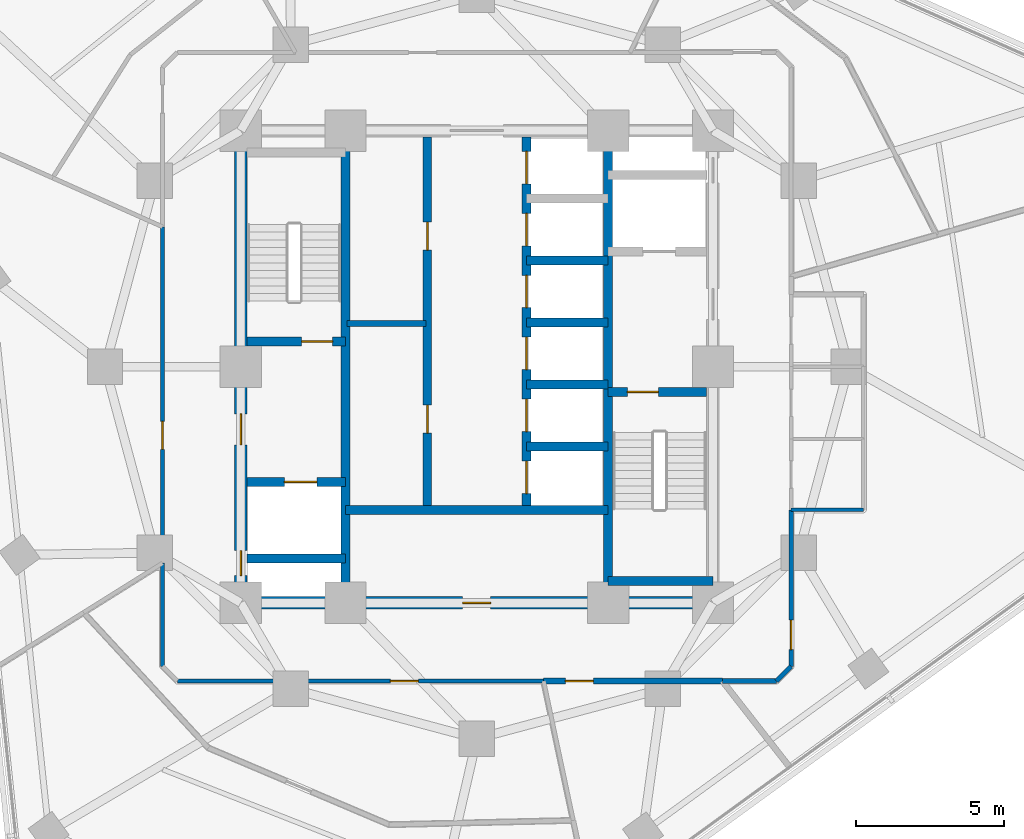
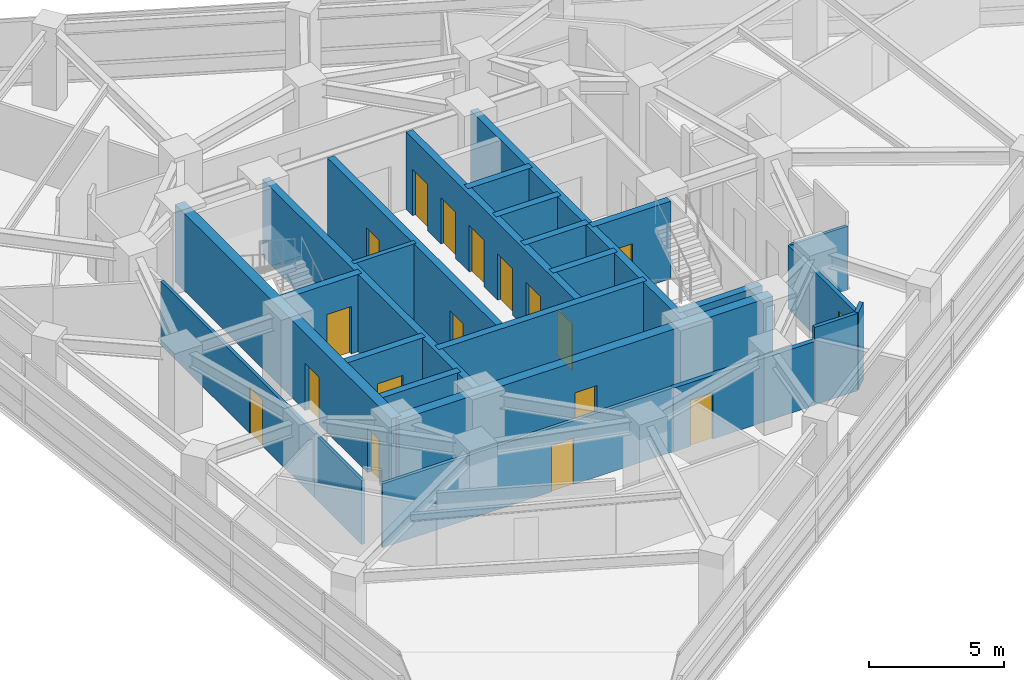
# One storey, part 8 of 14: 25 walls, 18 doors, 18 openings.
"""IFC4 building model written with IfcOpenShell, lengths in metres."""

from ifc_helpers import new_model, si_unit, direction, frame, frame_2d, origin, place, context, subcontext, project, spatial, rectangle, extrude, material, layer, layer_set, type_object, element, fill, save


model = new_model("IFC4")

# Units and contexts
model_context = context("Model", 3, precision=1e-05, world=origin(), true_north=direction((0.0, 1.0)))
body_context = subcontext(model_context, "Body", "Model", "MODEL_VIEW")
ifc_project = project(units=[si_unit("LENGTHUNIT", "METRE"), si_unit("AREAUNIT", "SQUARE_METRE"), si_unit("VOLUMEUNIT", "CUBIC_METRE"), si_unit("PLANEANGLEUNIT", "RADIAN"), si_unit("MASSUNIT", "GRAM", prefix="KILO")], contexts=[model_context])

# Site, building, storey
site_placement = place(None, origin())
site = spatial("IfcSite", under=ifc_project, at=site_placement, CompositionType="ELEMENT")
building_placement = place(site_placement, origin())
building = spatial("IfcBuilding", under=site, at=building_placement, Name="Terralouvre Media Tower", CompositionType="ELEMENT")
storey_placement = place(building_placement, frame((0.0, 0.0, 154.60009765625)))
storey = spatial("IfcBuildingStorey", under=building, at=storey_placement, Name="L39", CompositionType="ELEMENT", Elevation=154.60009765625)

# Walls
ifc_material_1 = material(Name="Concrete C50/60", Category="concrete")
ifc_layer_1 = layer(ifc_material_1, 0.300048828125, Name="Core Internal Shaft Wall CW-300")
ifc_layer_set_1 = layer_set([ifc_layer_1], Name="Concrete C50/60")
wall_type_1 = type_object("IfcWallType", Name="Core Internal Shaft Wall CW-300", PredefinedType="SHEAR", material=ifc_layer_set_1)
for number, where, z_axis, x_axis, name in (
    (1, (-4.449951171875, -7.7900390625, 0.0), (0.0, 0.0, 1.0), (0.0, 1.0, 0.0), "L39 Core Shaft Wall SPW"),
    (2, (4.449951171875, -7.7900390625, 0.0), (0.0, 0.0, 1.0), (0.0, 1.0, 0.0), "L39 Core Shaft Wall SPE"),
):
    element("IfcWall", number, at=place(storey_placement, frame(where, z_axis=z_axis, x_axis=x_axis)), inside=storey, type_object=wall_type_1, Name=name, PredefinedType="SHEAR", context=body_context, shape_type="SweptSolid", body=[
        extrude(rectangle(XDim=15.580078125, YDim=0.300048828125, at=frame_2d((7.7900390625, 0.0))), origin(), (0.0, 0.0, 1.0), 3.5),
    ])

# Wall, opening, door
wall_1_placement = place(storey_placement, frame((-7.7900390625, 0.85009765625, 0.0), z_axis=(0.0, 0.0, 1.0), x_axis=(1.0, 0.0, 0.0)))
wall_1 = element("IfcWall", 3, at=wall_1_placement, inside=storey, type_object=wall_type_1, Name="L39 Core Shaft Wall ST1D", PredefinedType="SHEAR", context=body_context, shape_type="SweptSolid", body=[
    extrude(rectangle(XDim=3.340087890625, YDim=0.300048828125, at=frame_2d((1.669921875, 0.0))), origin(), (0.0, 0.0, 1.0), 3.5),
])
opening_1_placement = place(wall_1_placement, frame((1.85009765625, 0.0, 0.0)))
opening_1 = element("IfcOpeningElement", 4, at=opening_1_placement, cuts=wall_1, Name="Opening FD-01-105X215", PredefinedType="OPENING", context=body_context, shape_type="SweptSolid", body=[
    extrude(rectangle(XDim=1.050048828125, YDim=2.14990234375, at=frame_2d((0.52490234375, 1.074951171875))), frame((0.0, 0.159912109375, 0.0), z_axis=(0.0, -1.0, 0.0), x_axis=(1.0, 0.0, 0.0)), (0.0, 0.0, 1.0), 0.320068359375),
])
ifc_material_2 = material(Name="Galvanised steel fire-resisting leaf", Category="steel")
door_type_1 = type_object("IfcDoorType", Name="Stair and Firefighting Lobby Fire Door FD-01 (1050x2150)", OperationType="NOTDEFINED", PredefinedType="DOOR", material=ifc_material_2)
door_1_placement = place(opening_1_placement, origin())
door_1 = element("IfcDoor", 5, at=door_1_placement, inside=storey, type_object=door_type_1, Name="L39 ST-01 Exit Stair Door", OperationType="SINGLE_SWING_LEFT", OverallHeight=2.14990234375, OverallWidth=1.050048828125, PredefinedType="DOOR", context=body_context, shape_type="SweptSolid", body=[
    extrude(rectangle(XDim=1.050048828125, YDim=2.14990234375, at=frame_2d((0.52490234375, 1.074951171875))), frame((0.0, 0.02490234375, 0.0), z_axis=(0.0, -1.0, 0.0), x_axis=(1.0, 0.0, 0.0)), (0.0, 0.0, 1.0), 0.050048828125),
])
fill(opening_1, door_1)

wall_2_placement = place(storey_placement, frame((4.449951171875, -0.85009765625, 0.0), z_axis=(0.0, 0.0, 1.0), x_axis=(1.0, 0.0, 0.0)))
wall_2 = element("IfcWall", 6, at=wall_2_placement, inside=storey, type_object=wall_type_1, Name="L39 Core Shaft Wall ST2D", PredefinedType="SHEAR", context=body_context, shape_type="SweptSolid", body=[
    extrude(rectangle(XDim=3.340087890625, YDim=0.300048828125, at=frame_2d((1.669921875, 0.0))), origin(), (0.0, 0.0, 1.0), 3.5),
])
opening_2_placement = place(wall_2_placement, frame((0.64990234375, 0.0, 0.0)))
opening_2 = element("IfcOpeningElement", 7, at=opening_2_placement, cuts=wall_2, Name="Opening FD-01-105X215", PredefinedType="OPENING", context=body_context, shape_type="SweptSolid", body=[
    extrude(rectangle(XDim=1.050048828125, YDim=2.14990234375, at=frame_2d((0.52490234375, 1.074951171875))), frame((0.0, 0.159912109375, 0.0), z_axis=(0.0, -1.0, 0.0), x_axis=(1.0, 0.0, 0.0)), (0.0, 0.0, 1.0), 0.320068359375),
])
door_2_placement = place(opening_2_placement, origin())
door_2 = element("IfcDoor", 8, at=door_2_placement, inside=storey, type_object=door_type_1, Name="L39 ST-02 Exit Stair Door", OperationType="SINGLE_SWING_RIGHT", OverallHeight=2.14990234375, OverallWidth=1.050048828125, PredefinedType="DOOR", context=body_context, shape_type="SweptSolid", body=[
    extrude(rectangle(XDim=1.050048828125, YDim=2.14990234375, at=frame_2d((0.52490234375, 1.074951171875))), frame((0.0, 0.02490234375, 0.0), z_axis=(0.0, -1.0, 0.0), x_axis=(1.0, 0.0, 0.0)), (0.0, 0.0, 1.0), 0.050048828125),
])
fill(opening_2, door_2)

# Wall
wall_3_placement = place(storey_placement, frame((4.449951171875, -7.260009765625, 0.0), z_axis=(0.0, 0.0, 1.0), x_axis=(1.0, 0.0, 0.0)))
element("IfcWall", 9, at=wall_3_placement, inside=storey, type_object=wall_type_1, Name="L39 Core Shaft Wall ST2F", PredefinedType="SHEAR", context=body_context, shape_type="SweptSolid", body=[
    extrude(rectangle(XDim=3.550048828125, YDim=0.300048828125, at=frame_2d((1.77490234375, 0.0))), origin(), (0.0, 0.0, 1.0), 3.5),
])

# Wall, opening, door
wall_4_placement = place(storey_placement, frame((-7.7900390625, -3.89990234375, 0.0), z_axis=(0.0, 0.0, 1.0), x_axis=(1.0, 0.0, 0.0)))
wall_4 = element("IfcWall", 10, at=wall_4_placement, inside=storey, type_object=wall_type_1, Name="L39 Core Shaft Wall FF1N", PredefinedType="SHEAR", context=body_context, shape_type="SweptSolid", body=[
    extrude(rectangle(XDim=3.340087890625, YDim=0.300048828125, at=frame_2d((1.669921875, 0.0))), origin(), (0.0, 0.0, 1.0), 3.5),
])
opening_3_placement = place(wall_4_placement, frame((1.27001953125, 0.0, 0.0)))
opening_3 = element("IfcOpeningElement", 11, at=opening_3_placement, cuts=wall_4, Name="Opening LD-FF", PredefinedType="OPENING", context=body_context, shape_type="SweptSolid", body=[
    extrude(rectangle(XDim=1.10009765625, YDim=2.10009765625, at=frame_2d((0.550048828125, 1.050048828125))), frame((0.0, 0.159912109375, 0.0), z_axis=(0.0, -1.0, 0.0), x_axis=(1.0, 0.0, 0.0)), (0.0, 0.0, 1.0), 0.320068359375),
])
ifc_material_3 = material(Name="Stainless steel 316 handrail and balustrade", Category="steel")
door_type_2 = type_object("IfcDoorType", Name="Firefighting Lift Sliding Landing Door LD-FF", OperationType="SLIDING_TO_LEFT", PredefinedType="DOOR", material=ifc_material_3)
door_3_placement = place(opening_3_placement, origin())
door_3 = element("IfcDoor", 12, at=door_3_placement, inside=storey, type_object=door_type_2, Name="L39 Firefighting Lift FFL-01 Landing Door", OperationType="SLIDING_TO_LEFT", OverallHeight=2.10009765625, OverallWidth=1.10009765625, PredefinedType="DOOR", context=body_context, shape_type="SweptSolid", body=[
    extrude(rectangle(XDim=1.10009765625, YDim=2.10009765625, at=frame_2d((0.550048828125, 1.050048828125))), frame((0.0, 0.02490234375, 0.0), z_axis=(0.0, -1.0, 0.0), x_axis=(1.0, 0.0, 0.0)), (0.0, 0.0, 1.0), 0.050048828125),
])
fill(opening_3, door_3)

# Walls
wall_5_placement = place(storey_placement, frame((-7.7900390625, -6.5, 0.0), z_axis=(0.0, 0.0, 1.0), x_axis=(1.0, 0.0, 0.0)))
element("IfcWall", 13, at=wall_5_placement, inside=storey, type_object=wall_type_1, Name="L39 Core Shaft Wall FF1S", PredefinedType="SHEAR", context=body_context, shape_type="SweptSolid", body=[
    extrude(rectangle(XDim=3.340087890625, YDim=0.300048828125, at=frame_2d((1.669921875, 0.0))), origin(), (0.0, 0.0, 1.0), 3.5),
])
wall_6_placement = place(storey_placement, frame((-4.449951171875, -4.85009765625, 0.0), z_axis=(0.0, 0.0, 1.0), x_axis=(1.0, 0.0, 0.0)))
element("IfcWall", 14, at=wall_6_placement, inside=storey, type_object=wall_type_1, Name="L39 Core Shaft Wall CSBN", PredefinedType="SHEAR", context=body_context, shape_type="SweptSolid", body=[
    extrude(rectangle(XDim=8.89990234375, YDim=0.300048828125, at=frame_2d((4.449951171875, 0.0))), origin(), (0.0, 0.0, 1.0), 3.5),
])

# Wall, openings, doors
wall_7_placement = place(storey_placement, frame((-1.679931640625, -4.85009765625, 0.0), z_axis=(0.0, 0.0, 1.0), x_axis=(0.0, 1.0, 0.0)))
wall_7 = element("IfcWall", 15, at=wall_7_placement, inside=storey, type_object=wall_type_1, Name="L39 Core Shaft Wall LBW", PredefinedType="SHEAR", context=body_context, shape_type="SweptSolid", body=[
    extrude(rectangle(XDim=12.64013671875, YDim=0.300048828125, at=frame_2d((6.320068359375, 0.0))), origin(), (0.0, 0.0, 1.0), 3.5),
])
opening_4_placement = place(wall_7_placement, frame((2.60009765625, 0.0, 0.0)))
opening_4 = element("IfcOpeningElement", 16, at=opening_4_placement, cuts=wall_7, Name="Opening FD-02-95X210", PredefinedType="OPENING", context=body_context, shape_type="SweptSolid", body=[
    extrude(rectangle(XDim=0.949951171875, YDim=2.10009765625, at=frame_2d((0.47509765625, 1.050048828125))), frame((0.0, 0.159912109375, 0.0), z_axis=(0.0, -1.0, 0.0), x_axis=(1.0, 0.0, 0.0)), (0.0, 0.0, 1.0), 0.320068359375),
])
opening_5_placement = place(wall_7_placement, frame((8.800048828125, 0.0, 0.0)))
opening_5 = element("IfcOpeningElement", 17, at=opening_5_placement, cuts=wall_7, Name="Opening FD-04-95X210", PredefinedType="OPENING", context=body_context, shape_type="SweptSolid", body=[
    extrude(rectangle(XDim=0.949951171875, YDim=2.10009765625, at=frame_2d((0.47509765625, 1.050048828125))), frame((0.0, 0.159912109375, 0.0), z_axis=(0.0, -1.0, 0.0), x_axis=(1.0, 0.0, 0.0)), (0.0, 0.0, 1.0), 0.320068359375),
])
ifc_material_4 = material(Name="Galvanised steel fire-resisting leaf", Category="steel")
door_type_3 = type_object("IfcDoorType", Name="Core Store and Service Fire Door FD-04 (950x2100)", OperationType="NOTDEFINED", PredefinedType="DOOR", material=ifc_material_4)
door_4_placement = place(opening_5_placement, origin())
door_4 = element("IfcDoor", 18, at=door_4_placement, inside=storey, type_object=door_type_3, Name="L39 Core Linen Store Door", OperationType="SINGLE_SWING_RIGHT", OverallHeight=2.10009765625, OverallWidth=0.949951171875, PredefinedType="DOOR", context=body_context, shape_type="SweptSolid", body=[
    extrude(rectangle(XDim=0.949951171875, YDim=2.10009765625, at=frame_2d((0.47509765625, 1.050048828125))), frame((0.0, 0.02490234375, 0.0), z_axis=(0.0, -1.0, 0.0), x_axis=(1.0, 0.0, 0.0)), (0.0, 0.0, 1.0), 0.050048828125),
])
fill(opening_5, door_4)
ifc_material_5 = material(Name="Galvanised steel fire-resisting leaf", Category="steel")
door_type_4 = type_object("IfcDoorType", Name="Plant and Riser Fire Door FD-02 (950x2100)", OperationType="NOTDEFINED", PredefinedType="DOOR", material=ifc_material_5)
door_5_placement = place(opening_4_placement, origin())
door_5 = element("IfcDoor", 19, at=door_5_placement, inside=storey, type_object=door_type_4, Name="L39 Core Fibre Patch Plant Door", OperationType="SINGLE_SWING_LEFT", OverallHeight=2.10009765625, OverallWidth=0.949951171875, PredefinedType="DOOR", context=body_context, shape_type="SweptSolid", body=[
    extrude(rectangle(XDim=0.949951171875, YDim=2.10009765625, at=frame_2d((0.47509765625, 1.050048828125))), frame((0.0, 0.02490234375, 0.0), z_axis=(0.0, -1.0, 0.0), x_axis=(1.0, 0.0, 0.0)), (0.0, 0.0, 1.0), 0.050048828125),
])
fill(opening_4, door_5)

wall_8_placement = place(storey_placement, frame((1.679931640625, -4.85009765625, 0.0), z_axis=(0.0, 0.0, 1.0), x_axis=(0.0, 1.0, 0.0)))
wall_8 = element("IfcWall", 20, at=wall_8_placement, inside=storey, type_object=wall_type_1, Name="L39 Core Shaft Wall LBE", PredefinedType="SHEAR", context=body_context, shape_type="SweptSolid", body=[
    extrude(rectangle(XDim=12.64013671875, YDim=0.300048828125, at=frame_2d((6.320068359375, 0.0))), origin(), (0.0, 0.0, 1.0), 3.5),
])
opening_6_placement = place(wall_8_placement, frame((0.550048828125, 0.0, 0.0)))
opening_6 = element("IfcOpeningElement", 21, at=opening_6_placement, cuts=wall_8, Name="Opening LD-PL", PredefinedType="OPENING", context=body_context, shape_type="SweptSolid", body=[
    extrude(rectangle(XDim=1.10009765625, YDim=2.10009765625, at=frame_2d((0.550048828125, 1.050048828125))), frame((0.0, 0.159912109375, 0.0), z_axis=(0.0, -1.0, 0.0), x_axis=(1.0, 0.0, 0.0)), (0.0, 0.0, 1.0), 0.320068359375),
])
opening_7_placement = place(wall_8_placement, frame((2.64990234375, 0.0, 0.0)))
opening_7 = element("IfcOpeningElement", 22, at=opening_7_placement, cuts=wall_8, Name="Opening LD-PL", PredefinedType="OPENING", context=body_context, shape_type="SweptSolid", body=[
    extrude(rectangle(XDim=1.10009765625, YDim=2.10009765625, at=frame_2d((0.550048828125, 1.050048828125))), frame((0.0, 0.159912109375, 0.0), z_axis=(0.0, -1.0, 0.0), x_axis=(1.0, 0.0, 0.0)), (0.0, 0.0, 1.0), 0.320068359375),
])
opening_8_placement = place(wall_8_placement, frame((4.75, 0.0, 0.0)))
opening_8 = element("IfcOpeningElement", 23, at=opening_8_placement, cuts=wall_8, Name="Opening LD-PL", PredefinedType="OPENING", context=body_context, shape_type="SweptSolid", body=[
    extrude(rectangle(XDim=1.10009765625, YDim=2.10009765625, at=frame_2d((0.550048828125, 1.050048828125))), frame((0.0, 0.159912109375, 0.0), z_axis=(0.0, -1.0, 0.0), x_axis=(1.0, 0.0, 0.0)), (0.0, 0.0, 1.0), 0.320068359375),
])
opening_9_placement = place(wall_8_placement, frame((6.85009765625, 0.0, 0.0)))
opening_9 = element("IfcOpeningElement", 24, at=opening_9_placement, cuts=wall_8, Name="Opening LD-PL", PredefinedType="OPENING", context=body_context, shape_type="SweptSolid", body=[
    extrude(rectangle(XDim=1.10009765625, YDim=2.10009765625, at=frame_2d((0.550048828125, 1.050048828125))), frame((0.0, 0.159912109375, 0.0), z_axis=(0.0, -1.0, 0.0), x_axis=(1.0, 0.0, 0.0)), (0.0, 0.0, 1.0), 0.320068359375),
])
opening_10_placement = place(wall_8_placement, frame((8.949951171875, 0.0, 0.0)))
opening_10 = element("IfcOpeningElement", 25, at=opening_10_placement, cuts=wall_8, Name="Opening LD-PL", PredefinedType="OPENING", context=body_context, shape_type="SweptSolid", body=[
    extrude(rectangle(XDim=1.10009765625, YDim=2.10009765625, at=frame_2d((0.550048828125, 1.050048828125))), frame((0.0, 0.159912109375, 0.0), z_axis=(0.0, -1.0, 0.0), x_axis=(1.0, 0.0, 0.0)), (0.0, 0.0, 1.0), 0.320068359375),
])
opening_11_placement = place(wall_8_placement, frame((11.050048828125, 0.0, 0.0)))
opening_11 = element("IfcOpeningElement", 26, at=opening_11_placement, cuts=wall_8, Name="Opening LD-PL", PredefinedType="OPENING", context=body_context, shape_type="SweptSolid", body=[
    extrude(rectangle(XDim=1.10009765625, YDim=2.10009765625, at=frame_2d((0.550048828125, 1.050048828125))), frame((0.0, 0.159912109375, 0.0), z_axis=(0.0, -1.0, 0.0), x_axis=(1.0, 0.0, 0.0)), (0.0, 0.0, 1.0), 0.320068359375),
])
ifc_material_6 = material(Name="Stainless steel 316 handrail and balustrade", Category="steel")
door_type_5 = type_object("IfcDoorType", Name="Passenger Lift Sliding Landing Door LD-PL", OperationType="SLIDING_TO_LEFT", PredefinedType="DOOR", material=ifc_material_6)
door_6_placement = place(opening_6_placement, origin())
door_6 = element("IfcDoor", 27, at=door_6_placement, inside=storey, type_object=door_type_5, Name="L39 High-Rise Lift PL-H1 Landing Door", OperationType="SLIDING_TO_LEFT", OverallHeight=2.10009765625, OverallWidth=1.10009765625, PredefinedType="DOOR", context=body_context, shape_type="SweptSolid", body=[
    extrude(rectangle(XDim=1.10009765625, YDim=2.10009765625, at=frame_2d((0.550048828125, 1.050048828125))), frame((0.0, 0.02490234375, 0.0), z_axis=(0.0, -1.0, 0.0), x_axis=(1.0, 0.0, 0.0)), (0.0, 0.0, 1.0), 0.050048828125),
])
fill(opening_6, door_6)
door_7_placement = place(opening_7_placement, origin())
door_7 = element("IfcDoor", 28, at=door_7_placement, inside=storey, type_object=door_type_5, Name="L39 High-Rise Lift PL-H2 Landing Door", OperationType="SLIDING_TO_LEFT", OverallHeight=2.10009765625, OverallWidth=1.10009765625, PredefinedType="DOOR", context=body_context, shape_type="SweptSolid", body=[
    extrude(rectangle(XDim=1.10009765625, YDim=2.10009765625, at=frame_2d((0.550048828125, 1.050048828125))), frame((0.0, 0.02490234375, 0.0), z_axis=(0.0, -1.0, 0.0), x_axis=(1.0, 0.0, 0.0)), (0.0, 0.0, 1.0), 0.050048828125),
])
fill(opening_7, door_7)
door_8_placement = place(opening_8_placement, origin())
door_8 = element("IfcDoor", 29, at=door_8_placement, inside=storey, type_object=door_type_5, Name="L39 High-Rise Lift PL-H3 Landing Door", OperationType="SLIDING_TO_LEFT", OverallHeight=2.10009765625, OverallWidth=1.10009765625, PredefinedType="DOOR", context=body_context, shape_type="SweptSolid", body=[
    extrude(rectangle(XDim=1.10009765625, YDim=2.10009765625, at=frame_2d((0.550048828125, 1.050048828125))), frame((0.0, 0.02490234375, 0.0), z_axis=(0.0, -1.0, 0.0), x_axis=(1.0, 0.0, 0.0)), (0.0, 0.0, 1.0), 0.050048828125),
])
fill(opening_8, door_8)
door_9_placement = place(opening_9_placement, origin())
door_9 = element("IfcDoor", 30, at=door_9_placement, inside=storey, type_object=door_type_5, Name="L39 Mid-Rise Lift PL-M1 Landing Door", OperationType="SLIDING_TO_LEFT", OverallHeight=2.10009765625, OverallWidth=1.10009765625, PredefinedType="DOOR", context=body_context, shape_type="SweptSolid", body=[
    extrude(rectangle(XDim=1.10009765625, YDim=2.10009765625, at=frame_2d((0.550048828125, 1.050048828125))), frame((0.0, 0.02490234375, 0.0), z_axis=(0.0, -1.0, 0.0), x_axis=(1.0, 0.0, 0.0)), (0.0, 0.0, 1.0), 0.050048828125),
])
fill(opening_9, door_9)
door_10_placement = place(opening_10_placement, origin())
door_10 = element("IfcDoor", 31, at=door_10_placement, inside=storey, type_object=door_type_5, Name="L39 Mid-Rise Lift PL-M2 Landing Door", OperationType="SLIDING_TO_LEFT", OverallHeight=2.10009765625, OverallWidth=1.10009765625, PredefinedType="DOOR", context=body_context, shape_type="SweptSolid", body=[
    extrude(rectangle(XDim=1.10009765625, YDim=2.10009765625, at=frame_2d((0.550048828125, 1.050048828125))), frame((0.0, 0.02490234375, 0.0), z_axis=(0.0, -1.0, 0.0), x_axis=(1.0, 0.0, 0.0)), (0.0, 0.0, 1.0), 0.050048828125),
])
fill(opening_10, door_10)
door_11_placement = place(opening_11_placement, origin())
door_11 = element("IfcDoor", 32, at=door_11_placement, inside=storey, type_object=door_type_5, Name="L39 Mid-Rise Lift PL-M3 Landing Door", OperationType="SLIDING_TO_LEFT", OverallHeight=2.10009765625, OverallWidth=1.10009765625, PredefinedType="DOOR", context=body_context, shape_type="SweptSolid", body=[
    extrude(rectangle(XDim=1.10009765625, YDim=2.10009765625, at=frame_2d((0.550048828125, 1.050048828125))), frame((0.0, 0.02490234375, 0.0), z_axis=(0.0, -1.0, 0.0), x_axis=(1.0, 0.0, 0.0)), (0.0, 0.0, 1.0), 0.050048828125),
])
fill(opening_11, door_11)

# Walls
for number, where, z_axis, x_axis, name in (
    (33, (1.679931640625, 1.5, 0.0), (0.0, 0.0, 1.0), (1.0, 0.0, 0.0), "L39 Core Shaft Wall PLMD0"),
    (34, (1.679931640625, 3.60009765625, 0.0), (0.0, 0.0, 1.0), (1.0, 0.0, 0.0), "L39 Core Shaft Wall PLMD1"),
    (35, (1.679931640625, -2.699951171875, 0.0), (0.0, 0.0, 1.0), (1.0, 0.0, 0.0), "L39 Core Shaft Wall PLHD1"),
    (36, (1.679931640625, -0.60009765625, 0.0), (0.0, 0.0, 1.0), (1.0, 0.0, 0.0), "L39 Core Shaft Wall PLHD2"),
):
    element("IfcWall", number, at=place(storey_placement, frame(where, z_axis=z_axis, x_axis=x_axis)), inside=storey, type_object=wall_type_1, Name=name, PredefinedType="SHEAR", context=body_context, shape_type="SweptSolid", body=[
        extrude(rectangle(XDim=2.77001953125, YDim=0.300048828125, at=frame_2d((1.385009765625, 0.0))), origin(), (0.0, 0.0, 1.0), 3.5),
    ])

# Wall, openings, doors
ifc_material_7 = material(Name="Concrete C60/75", Category="concrete")
ifc_layer_2 = layer(ifc_material_7, 0.419921875, Name="Core Reinforced Concrete Shear Wall CW-420")
ifc_layer_set_2 = layer_set([ifc_layer_2], Name="Concrete C60/75")
wall_type_2 = type_object("IfcWallType", Name="Core Reinforced Concrete Shear Wall CW-420", PredefinedType="SHEAR", material=ifc_layer_set_2)
wall_9_placement = place(storey_placement, frame((-8.0, -8.0, 0.0), z_axis=(0.0, 0.0, 1.0), x_axis=(0.0, 1.0, 0.0)))
wall_9 = element("IfcWall", 37, at=wall_9_placement, inside=storey, type_object=wall_type_2, Name="L39 W Core Shear Wall", PredefinedType="SHEAR", context=body_context, shape_type="SweptSolid", body=[
    extrude(rectangle(XDim=16.0, YDim=0.419921875, at=frame_2d((8.0, 0.0))), origin(), (0.0, 0.0, 1.0), 3.5),
])
opening_12_placement = place(wall_9_placement, frame((0.921630859375, 0.0, 0.0)))
opening_12 = element("IfcOpeningElement", 38, at=opening_12_placement, cuts=wall_9, Name="Opening TD-R1", PredefinedType="OPENING", context=body_context, shape_type="SweptSolid", body=[
    extrude(rectangle(XDim=0.85009765625, YDim=2.02001953125, at=frame_2d((0.425048828125, 1.010009765625))), frame((0.0, 0.219970703125, 0.0), z_axis=(0.0, -1.0, 0.0), x_axis=(1.0, 0.0, 0.0)), (0.0, 0.0, 1.0), 0.43994140625),
])
opening_13_placement = place(wall_9_placement, frame((5.35009765625, 0.0, 0.0)))
opening_13 = element("IfcOpeningElement", 39, at=opening_13_placement, cuts=wall_9, Name="Opening FD-01-105X215", PredefinedType="OPENING", context=body_context, shape_type="SweptSolid", body=[
    extrude(rectangle(XDim=1.050048828125, YDim=2.14990234375, at=frame_2d((0.52490234375, 1.074951171875))), frame((0.0, 0.219970703125, 0.0), z_axis=(0.0, -1.0, 0.0), x_axis=(1.0, 0.0, 0.0)), (0.0, 0.0, 1.0), 0.43994140625),
])
ifc_material_8 = material(Name="Galvanised steel fire-resisting leaf", Category="steel")
door_type_6 = type_object("IfcDoorType", Name="Riser Inspection Access Trapdoor TD-R1", OperationType="NOTDEFINED", PredefinedType="TRAPDOOR", material=ifc_material_8)
door_12_placement = place(opening_12_placement, origin())
door_12 = element("IfcDoor", 40, at=door_12_placement, inside=storey, type_object=door_type_6, Name="L39 Wet Riser Access Trapdoor", OperationType="SINGLE_SWING_LEFT", OverallHeight=2.02001953125, OverallWidth=0.85009765625, PredefinedType="TRAPDOOR", context=body_context, shape_type="SweptSolid", body=[
    extrude(rectangle(XDim=0.85009765625, YDim=2.02001953125, at=frame_2d((0.425048828125, 1.010009765625))), frame((0.0, 0.02490234375, 0.0), z_axis=(0.0, -1.0, 0.0), x_axis=(1.0, 0.0, 0.0)), (0.0, 0.0, 1.0), 0.050048828125),
])
fill(opening_12, door_12)
door_13_placement = place(opening_13_placement, origin())
door_13 = element("IfcDoor", 41, at=door_13_placement, inside=storey, type_object=door_type_1, Name="L39 West Firefighting Lobby Entry Door", OperationType="SINGLE_SWING_RIGHT", OverallHeight=2.14990234375, OverallWidth=1.050048828125, PredefinedType="DOOR", context=body_context, shape_type="SweptSolid", body=[
    extrude(rectangle(XDim=1.050048828125, YDim=2.14990234375, at=frame_2d((0.52490234375, 1.074951171875))), frame((0.0, 0.02490234375, 0.0), z_axis=(0.0, -1.0, 0.0), x_axis=(1.0, 0.0, 0.0)), (0.0, 0.0, 1.0), 0.050048828125),
])
fill(opening_13, door_13)

# Wall, opening, door
wall_10_placement = place(storey_placement, frame((-8.0, -8.0, 0.0), z_axis=(0.0, 0.0, 1.0), x_axis=(1.0, 0.0, 0.0)))
wall_10 = element("IfcWall", 42, at=wall_10_placement, inside=storey, type_object=wall_type_2, Name="L39 S Core Shear Wall", PredefinedType="SHEAR", context=body_context, shape_type="SweptSolid", body=[
    extrude(rectangle(XDim=16.0, YDim=0.419921875, at=frame_2d((8.0, 0.0))), origin(), (0.0, 0.0, 1.0), 3.5),
])
opening_14_placement = place(wall_10_placement, frame((7.52001953125, 0.0, 0.0)))
opening_14 = element("IfcOpeningElement", 43, at=opening_14_placement, cuts=wall_10, Name="Opening FD-02-95X210", PredefinedType="OPENING", context=body_context, shape_type="SweptSolid", body=[
    extrude(rectangle(XDim=0.949951171875, YDim=2.10009765625, at=frame_2d((0.47509765625, 1.050048828125))), frame((0.0, 0.219970703125, 0.0), z_axis=(0.0, -1.0, 0.0), x_axis=(1.0, 0.0, 0.0)), (0.0, 0.0, 1.0), 0.43994140625),
])
door_14_placement = place(opening_14_placement, origin())
door_14 = element("IfcDoor", 44, at=door_14_placement, inside=storey, type_object=door_type_4, Name="L39 Core Switchgear Plant Door", OperationType="SINGLE_SWING_LEFT", OverallHeight=2.10009765625, OverallWidth=0.949951171875, PredefinedType="DOOR", context=body_context, shape_type="SweptSolid", body=[
    extrude(rectangle(XDim=0.949951171875, YDim=2.10009765625, at=frame_2d((0.47509765625, 1.050048828125))), frame((0.0, 0.02490234375, 0.0), z_axis=(0.0, -1.0, 0.0), x_axis=(1.0, 0.0, 0.0)), (0.0, 0.0, 1.0), 0.050048828125),
])
fill(opening_14, door_14)

# Wall
ifc_material_9 = material(Name="Fire-rated gypsum board drywall partition")
ifc_layer_3 = layer(ifc_material_9, 0.199951171875, Name="Fire-Rated Shaft and Lobby Partition FW-200")
ifc_layer_set_3 = layer_set([ifc_layer_3], Name="Fire-rated gypsum board drywall partition")
wall_type_3 = type_object("IfcWallType", Name="Fire-Rated Shaft and Lobby Partition FW-200", PredefinedType="SOLIDWALL", material=ifc_layer_set_3)
wall_11_placement = place(storey_placement, frame((-4.39990234375, 1.469970703125, 0.0), z_axis=(0.0, 0.0, 1.0), x_axis=(1.0, 0.0, 0.0)))
element("IfcWall", 45, at=wall_11_placement, inside=storey, type_object=wall_type_3, Name="L39 Core West Sub-Partition 1", PredefinedType="SOLIDWALL", context=body_context, shape_type="SweptSolid", body=[
    extrude(rectangle(XDim=2.679931640625, YDim=0.199951171875, at=frame_2d((1.33984375, 0.0))), origin(), (0.0, 0.0, 1.0), 3.5),
])

# Wall, opening, door
wall_12_placement = place(storey_placement, frame((2.263916015625, -10.64990234375, 0.0), z_axis=(0.0, 0.0, 1.0), x_axis=(1.0, 0.0, 0.0)))
wall_12 = element("IfcWall", 46, at=wall_12_placement, inside=storey, type_object=wall_type_3, Name="L39 Interior Partition 005", PredefinedType="SOLIDWALL", context=body_context, shape_type="SweptSolid", body=[
    extrude(rectangle(XDim=6.05712890625, YDim=0.199951171875, at=frame_2d((3.028564453125, 0.0))), origin(), (0.0, 0.0, 1.0), 2.885009765625),
])
opening_15_placement = place(wall_12_placement, frame((0.736328125, 0.0, 0.0)))
opening_15 = element("IfcOpeningElement", 47, at=opening_15_placement, cuts=wall_12, Name="Opening FD-02-95X210", PredefinedType="OPENING", context=body_context, shape_type="SweptSolid", body=[
    extrude(rectangle(XDim=0.949951171875, YDim=2.10009765625, at=frame_2d((0.47509765625, 1.050048828125))), frame((0.0, 0.10986328125, 0.0), z_axis=(0.0, -1.0, 0.0), x_axis=(1.0, 0.0, 0.0)), (0.0, 0.0, 1.0), 0.219970703125),
])
door_15_placement = place(opening_15_placement, origin())
door_15 = element("IfcDoor", 48, at=door_15_placement, inside=storey, type_object=door_type_4, Name="L39 Lighting Dimmer Switch Room 4 Door", OperationType="SINGLE_SWING_RIGHT", OverallHeight=2.10009765625, OverallWidth=0.949951171875, PredefinedType="DOOR", context=body_context, shape_type="SweptSolid", body=[
    extrude(rectangle(XDim=0.949951171875, YDim=2.10009765625, at=frame_2d((0.47509765625, 1.050048828125))), frame((0.0, 0.02490234375, 0.0), z_axis=(0.0, -1.0, 0.0), x_axis=(1.0, 0.0, 0.0)), (0.0, 0.0, 1.0), 0.050048828125),
])
fill(opening_15, door_15)

ifc_material_10 = material(Name="Fire-rated gypsum board drywall partition")
ifc_layer_4 = layer(ifc_material_10, 0.135009765625, Name="Newsroom Acoustic Partition PT-135")
ifc_layer_set_4 = layer_set([ifc_layer_4], Name="Fire-rated gypsum board drywall partition")
wall_type_4 = type_object("IfcWallType", Name="Newsroom Acoustic Partition PT-135", PredefinedType="PARTITIONING", material=ifc_layer_set_4)
wall_13_placement = place(storey_placement, frame((-10.64990234375, 4.741943359375, 0.0), z_axis=(0.0, 0.0, 1.0), x_axis=(0.0, -1.0, 0.0)))
wall_13 = element("IfcWall", 49, at=wall_13_placement, inside=storey, type_object=wall_type_4, Name="L39 Interior Partition 001", PredefinedType="PARTITIONING", context=body_context, shape_type="SweptSolid", body=[
    extrude(rectangle(XDim=11.39697265625, YDim=0.135009765625, at=frame_2d((5.698486328125, 0.0))), origin(), (0.0, 0.0, 1.0), 2.885009765625),
])
opening_16_placement = place(wall_13_placement, frame((6.591064453125, 0.0, 0.0)))
opening_16 = element("IfcOpeningElement", 50, at=opening_16_placement, cuts=wall_13, Name="Opening ID-02-95X210", PredefinedType="OPENING", context=body_context, shape_type="SweptSolid", body=[
    extrude(rectangle(XDim=0.949951171875, YDim=2.10009765625, at=frame_2d((0.47509765625, 1.050048828125))), frame((0.0, 0.077392578125, 0.0), z_axis=(0.0, -1.0, 0.0), x_axis=(1.0, 0.0, 0.0)), (0.0, 0.0, 1.0), 0.155029296875),
])
ifc_material_11 = material(Name="Engineered hardwood acoustic timber leaf", Category="wood")
door_type_7 = type_object("IfcDoorType", Name="Office and Meeting Room Door ID-02 (950x2100)", OperationType="NOTDEFINED", PredefinedType="DOOR", material=ifc_material_11)
door_16_placement = place(opening_16_placement, origin())
door_16 = element("IfcDoor", 51, at=door_16_placement, inside=storey, type_object=door_type_7, Name="L39 Equipment Locker 1 Door", OperationType="SINGLE_SWING_RIGHT", OverallHeight=2.10009765625, OverallWidth=0.949951171875, PredefinedType="DOOR", context=body_context, shape_type="SweptSolid", body=[
    extrude(rectangle(XDim=0.949951171875, YDim=2.10009765625, at=frame_2d((0.47509765625, 1.050048828125))), frame((0.0, 0.02490234375, 0.0), z_axis=(0.0, -1.0, 0.0), x_axis=(1.0, 0.0, 0.0)), (0.0, 0.0, 1.0), 0.050048828125),
])
fill(opening_16, door_16)

# Wall
wall_14_placement = place(storey_placement, frame((-10.64990234375, -6.655029296875, 0.0), z_axis=(0.0, 0.0, 1.0), x_axis=(0.0, -1.0, 0.0)))
element("IfcWall", 52, at=wall_14_placement, inside=storey, type_object=wall_type_4, Name="L39 Interior Partition 002", PredefinedType="PARTITIONING", context=body_context, shape_type="SweptSolid", body=[
    extrude(rectangle(XDim=3.494873046875, YDim=0.135009765625, at=frame_2d((1.74755859375, 0.0))), origin(), (0.0, 0.0, 1.0), 2.885009765625),
])

# Wall, opening, door
wall_15_placement = place(storey_placement, frame((-10.14990234375, -10.64990234375, 0.0), z_axis=(0.0, 0.0, 1.0), x_axis=(1.0, 0.0, 0.0)))
wall_15 = element("IfcWall", 53, at=wall_15_placement, inside=storey, type_object=wall_type_4, Name="L39 Interior Partition 004", PredefinedType="PARTITIONING", context=body_context, shape_type="SweptSolid", body=[
    extrude(rectangle(XDim=12.413818359375, YDim=0.135009765625, at=frame_2d((6.20703125, 0.0))), origin(), (0.0, 0.0, 1.0), 2.885009765625),
])
opening_17_placement = place(wall_15_placement, frame((7.2216796875, 0.0, 0.0)))
opening_17 = element("IfcOpeningElement", 54, at=opening_17_placement, cuts=wall_15, Name="Opening ID-02-95X210", PredefinedType="OPENING", context=body_context, shape_type="SweptSolid", body=[
    extrude(rectangle(XDim=0.949951171875, YDim=2.10009765625, at=frame_2d((0.47509765625, 1.050048828125))), frame((0.0, 0.077392578125, 0.0), z_axis=(0.0, -1.0, 0.0), x_axis=(1.0, 0.0, 0.0)), (0.0, 0.0, 1.0), 0.155029296875),
])
door_17_placement = place(opening_17_placement, origin())
door_17 = element("IfcDoor", 55, at=door_17_placement, inside=storey, type_object=door_type_7, Name="L39 Broadcast Floor Crew Room 3 Door", OperationType="SINGLE_SWING_LEFT", OverallHeight=2.10009765625, OverallWidth=0.949951171875, PredefinedType="DOOR", context=body_context, shape_type="SweptSolid", body=[
    extrude(rectangle(XDim=0.949951171875, YDim=2.10009765625, at=frame_2d((0.47509765625, 1.050048828125))), frame((0.0, 0.02490234375, 0.0), z_axis=(0.0, -1.0, 0.0), x_axis=(1.0, 0.0, 0.0)), (0.0, 0.0, 1.0), 0.050048828125),
])
fill(opening_17, door_17)

# Walls
ifc_material_12 = material(Name="Fire-rated gypsum board drywall partition")
ifc_layer_5 = layer(ifc_material_12, 0.114990234375, Name="Restroom and Pantry Partition PT-115")
ifc_layer_set_5 = layer_set([ifc_layer_5], Name="Fire-rated gypsum board drywall partition")
wall_type_5 = type_object("IfcWallType", Name="Restroom and Pantry Partition PT-115", PredefinedType="PARTITIONING", material=ifc_layer_set_5)
wall_16_placement = place(storey_placement, frame((10.64990234375, -4.85009765625, 0.0), z_axis=(0.0, 0.0, 1.0), x_axis=(1.0, 0.0, 0.0)))
element("IfcWall", 56, at=wall_16_placement, inside=storey, type_object=wall_type_5, Name="L39 Interior Partition 031", PredefinedType="PARTITIONING", context=body_context, shape_type="SweptSolid", body=[
    extrude(rectangle(XDim=2.4501953125, YDim=0.114990234375, at=frame_2d((1.22509765625, 0.0))), origin(), (0.0, 0.0, 1.0), 2.885009765625),
])
ifc_material_13 = material(Name="Fire-rated gypsum board drywall partition")
ifc_layer_6 = layer(ifc_material_13, 0.159912109375, Name="Studio Acoustic Rated Partition PT-160")
ifc_layer_set_6 = layer_set([ifc_layer_6], Name="Fire-rated gypsum board drywall partition")
wall_type_6 = type_object("IfcWallType", Name="Studio Acoustic Rated Partition PT-160", PredefinedType="PARTITIONING", material=ifc_layer_set_6)
wall_17_placement = place(storey_placement, frame((8.321044921875, -10.64990234375, 0.0), z_axis=(0.0, 0.0, 1.0), x_axis=(1.0, 0.0, 0.0)))
element("IfcWall", 57, at=wall_17_placement, inside=storey, type_object=wall_type_6, Name="L39 Interior Partition 008", PredefinedType="PARTITIONING", context=body_context, shape_type="SweptSolid", body=[
    extrude(rectangle(XDim=1.828857421875, YDim=0.159912109375, at=frame_2d((0.91455078125, 0.0))), origin(), (0.0, 0.0, 1.0), 3.5),
])
wall_18_placement = place(storey_placement, frame((10.14990234375, -10.64990234375, 0.0), z_axis=(0.0, 0.0, 1.0), x_axis=(0.707106781187, 0.707106781187, 0.0)))
element("IfcWall", 58, at=wall_18_placement, inside=storey, type_object=wall_type_6, Name="L39 Interior Partition 009", PredefinedType="PARTITIONING", context=body_context, shape_type="SweptSolid", body=[
    extrude(rectangle(XDim=0.70703125, YDim=0.159912109375, at=frame_2d((0.353515625, 0.0))), origin(), (0.0, 0.0, 1.0), 3.5),
])

# Wall, opening, door
wall_19_placement = place(storey_placement, frame((10.64990234375, -10.14990234375, 0.0), z_axis=(0.0, 0.0, 1.0), x_axis=(0.0, 1.0, 0.0)))
wall_19 = element("IfcWall", 59, at=wall_19_placement, inside=storey, type_object=wall_type_6, Name="L39 Interior Partition 010", PredefinedType="PARTITIONING", context=body_context, shape_type="SweptSolid", body=[
    extrude(rectangle(XDim=5.2998046875, YDim=0.159912109375, at=frame_2d((2.64990234375, 0.0))), origin(), (0.0, 0.0, 1.0), 2.875),
])
opening_18_placement = place(wall_19_placement, frame((0.56005859375, 0.0, 0.0)))
opening_18 = element("IfcOpeningElement", 60, at=opening_18_placement, cuts=wall_19, Name="Opening ID-01-100X215", PredefinedType="OPENING", context=body_context, shape_type="SweptSolid", body=[
    extrude(rectangle(XDim=1.0, YDim=2.14990234375, at=frame_2d((0.5, 1.074951171875))), frame((0.0, 0.08984375, 0.0), z_axis=(0.0, -1.0, 0.0), x_axis=(1.0, 0.0, 0.0)), (0.0, 0.0, 1.0), 0.179931640625),
])
ifc_material_14 = material(Name="Engineered hardwood acoustic timber leaf", Category="wood")
door_type_8 = type_object("IfcDoorType", Name="Broadcast Studio Acoustic Single Door ID-01 (1000x2150)", OperationType="NOTDEFINED", PredefinedType="DOOR", material=ifc_material_14)
door_18_placement = place(opening_18_placement, origin())
door_18 = element("IfcDoor", 61, at=door_18_placement, inside=storey, type_object=door_type_8, Name="L39 Preview Screening Cinema 5 Door", OperationType="SINGLE_SWING_LEFT", OverallHeight=2.14990234375, OverallWidth=1.0, PredefinedType="DOOR", context=body_context, shape_type="SweptSolid", body=[
    extrude(rectangle(XDim=1.0, YDim=2.14990234375, at=frame_2d((0.5, 1.074951171875))), frame((0.0, 0.02490234375, 0.0), z_axis=(0.0, -1.0, 0.0), x_axis=(1.0, 0.0, 0.0)), (0.0, 0.0, 1.0), 0.050048828125),
])
fill(opening_18, door_18)

save(model, "model.ifc")
